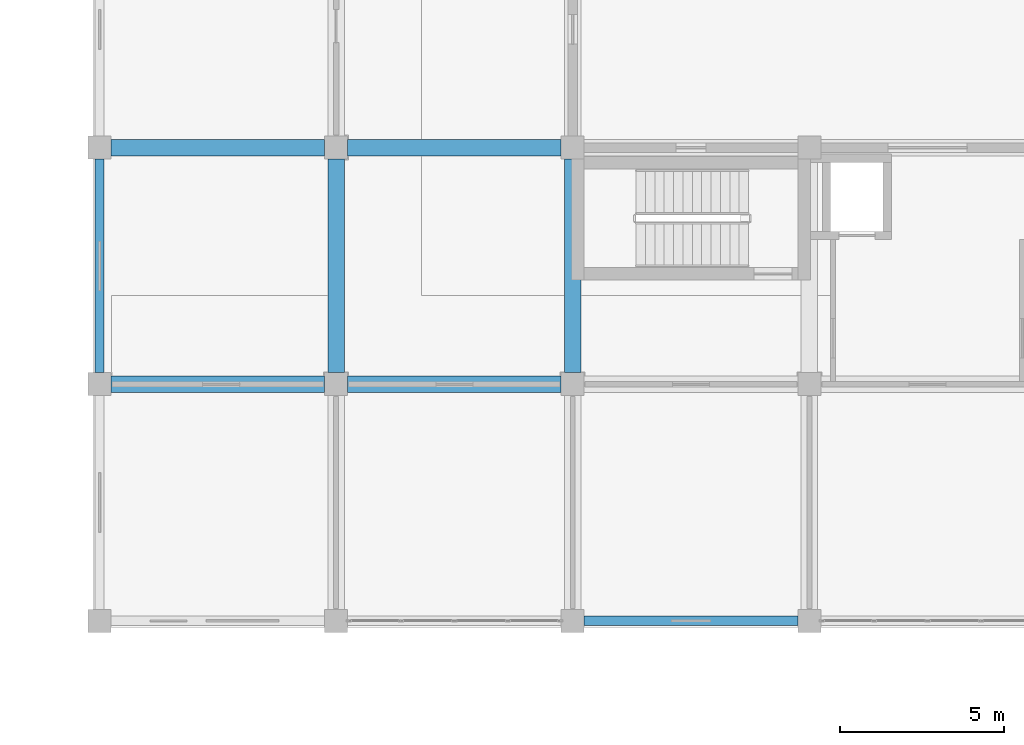
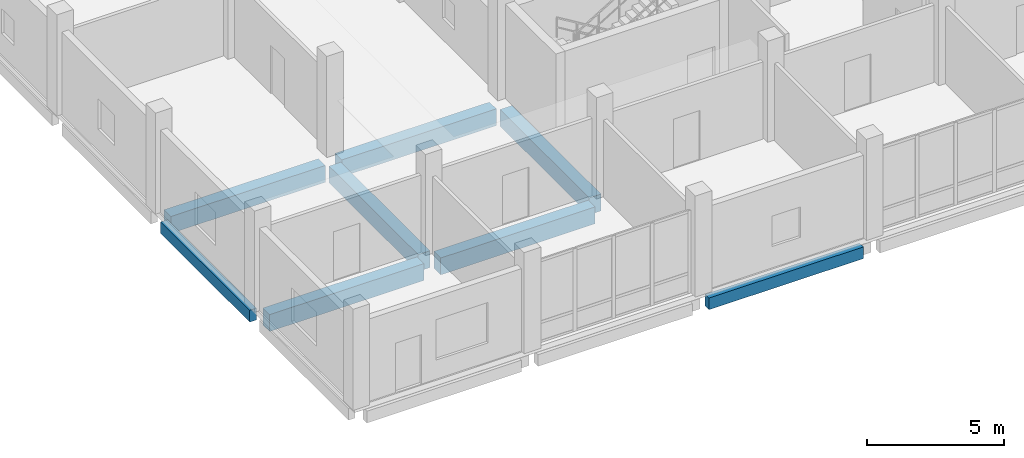
# One storey, part 20 of 139: 8 beams.
"""IFC4 building model written with IfcOpenShell, lengths in metres."""

from ifc_helpers import new_model, si_unit, direction, frame, origin, origin_2d, place, context, subcontext, project, spatial, rectangle, extrude, material, material_profile, profile_set, type_object, element, save


model = new_model("IFC4")

# Units and contexts
model_context = context("Model", 3, precision=1e-05, world=origin(), true_north=direction((0.0, 1.0)))
body_context = subcontext(model_context, "Body", "Model", "MODEL_VIEW")
ifc_project = project(units=[si_unit("LENGTHUNIT", "METRE"), si_unit("AREAUNIT", "SQUARE_METRE"), si_unit("VOLUMEUNIT", "CUBIC_METRE"), si_unit("PLANEANGLEUNIT", "RADIAN"), si_unit("MASSUNIT", "GRAM", prefix="KILO")], contexts=[model_context])

# Site, building, storey
site_placement = place(None, origin())
site = spatial("IfcSite", under=ifc_project, at=site_placement, CompositionType="ELEMENT")
building_placement = place(site_placement, origin())
building = spatial("IfcBuilding", under=site, at=building_placement, Name="Suanplinth Sawtooth Commons", CompositionType="ELEMENT")
storey_placement = place(building_placement, origin())
storey = spatial("IfcBuildingStorey", under=building, at=storey_placement, Name="L00", CompositionType="ELEMENT", Elevation=0.0)

# Beams
ifc_material_1 = material(Name="Concrete C40/50", Category="concrete")
ifc_material_profile_1 = material_profile(ifc_material_1, rectangle(XDim=0.5, YDim=0.75, at=origin_2d()), Name="RC-GDR 500x750")
ifc_profile_set_1 = profile_set([ifc_material_profile_1], Name="Concrete C40/50")
beam_type_1 = type_object("IfcBeamType", Name="B-03", PredefinedType="USERDEFINED", material=ifc_profile_set_1)
for number, where, z_axis, x_axis, name in (
    (1, (0.35009765625, 7.199951171875, -0.784912109375), (1.0, 0.0, 0.0), (0.0, 1.0, 0.0), "BMX-L00-D-0-1"),
    (2, (0.35009765625, 14.39990234375, -0.784912109375), (1.0, 0.0, 0.0), (0.0, 1.0, 0.0), "BMX-L00-D-0-2"),
    (3, (7.550048828125, 7.199951171875, -0.784912109375), (1.0, 0.0, 0.0), (0.0, 1.0, 0.0), "BMX-L00-D-1-1"),
    (4, (7.550048828125, 14.39990234375, -0.784912109375), (1.0, 0.0, 0.0), (0.0, 1.0, 0.0), "BMX-L00-D-1-2"),
    (5, (7.199951171875, 7.550048828125, -0.784912109375), (0.0, 1.0, 0.0), (-1.0, 0.0, 0.0), "BMY-L00-D-1-1"),
    (6, (14.39990234375, 7.550048828125, -0.784912109375), (0.0, 1.0, 0.0), (-1.0, 0.0, 0.0), "BMY-L00-D-2-1"),
):
    element("IfcBeam", number, at=place(storey_placement, frame(where, z_axis=z_axis, x_axis=x_axis)), inside=storey, type_object=beam_type_1, Name=name, ObjectType="GIRDER", PredefinedType="USERDEFINED", context=body_context, shape_type="SweptSolid", body=[
        extrude(rectangle(XDim=0.5, YDim=0.75, at=origin_2d()), origin(), (0.0, 0.0, 1.0), 6.5),
    ])
ifc_material_2 = material(Name="Precast concrete C40/50", Category="concrete")
ifc_material_profile_2 = material_profile(ifc_material_2, rectangle(XDim=0.280029296875, YDim=0.52001953125, at=origin_2d()), Name="PC-SP 280x520")
ifc_profile_set_2 = profile_set([ifc_material_profile_2], Name="Precast concrete C40/50")
beam_type_2 = type_object("IfcBeamType", Name="B-08", PredefinedType="SPANDREL", material=ifc_profile_set_2)
for number, where, z_axis, x_axis, name in (
    (7, (14.75, 0.0, -0.669921875), (1.0, 0.0, 0.0), (0.0, 1.0, 0.0), "BMX-L00-D-2-0"),
    (8, (0.0, 7.550048828125, -0.669921875), (0.0, 1.0, 0.0), (-1.0, 0.0, 0.0), "BMY-L00-D-0-1"),
):
    element("IfcBeam", number, at=place(storey_placement, frame(where, z_axis=z_axis, x_axis=x_axis)), inside=storey, type_object=beam_type_2, Name=name, PredefinedType="SPANDREL", context=body_context, shape_type="SweptSolid", body=[
        extrude(rectangle(XDim=0.280029296875, YDim=0.52001953125, at=origin_2d()), origin(), (0.0, 0.0, 1.0), 6.5),
    ])

save(model, "model.ifc")
